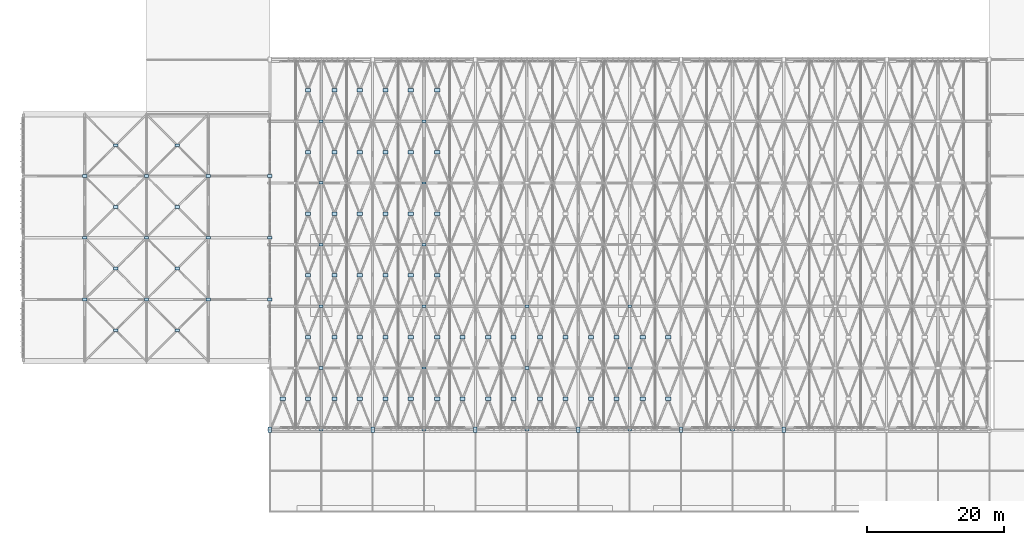
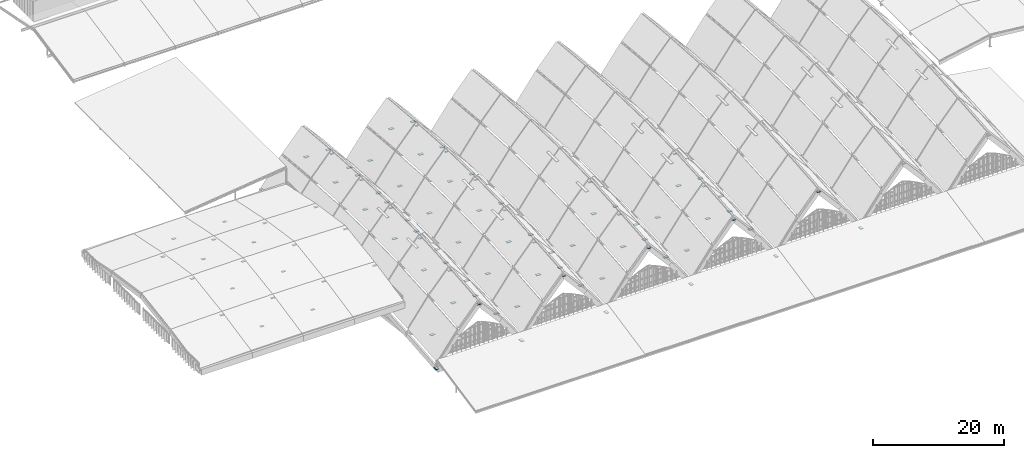
# One storey, part 67 of 93: 100 plates.
"""IFC4 building model written with IfcOpenShell, lengths in metres."""

from ifc_helpers import new_model, si_unit, direction, frame, origin, origin_2d, place, context, subcontext, project, spatial, rectangle, extrude, material, layer, layer_set, type_object, element, save


model = new_model("IFC4")

# Units and contexts
model_context = context("Model", 3, precision=1e-05, world=origin(), true_north=direction((0.0, 1.0)))
body_context = subcontext(model_context, "Body", "Model", "MODEL_VIEW")
ifc_project = project(units=[si_unit("LENGTHUNIT", "METRE"), si_unit("AREAUNIT", "SQUARE_METRE"), si_unit("VOLUMEUNIT", "CUBIC_METRE"), si_unit("PLANEANGLEUNIT", "RADIAN"), si_unit("MASSUNIT", "GRAM", prefix="KILO")], contexts=[model_context])

# Site, building, storey
site_placement = place(None, origin())
site = spatial("IfcSite", under=ifc_project, at=site_placement, CompositionType="ELEMENT")
building_placement = place(site_placement, origin())
building = spatial("IfcBuilding", under=site, at=building_placement, Name="Vourika Railside Aquatics Centre", CompositionType="ELEMENT")
storey_placement = place(building_placement, frame((0.0, 0.0, 21.89990234375)))
storey = spatial("IfcBuildingStorey", under=building, at=storey_placement, Name="Roof", CompositionType="ELEMENT", Elevation=21.89990234375)

# Plates
ifc_material = material(Name="Duplex stainless steel EN 1.4462", Category="steel")
ifc_layer_1 = layer(ifc_material, 0.02392578125, Name="PLT-DIVE-620x400x24")
ifc_layer_set_1 = layer_set([ifc_layer_1], Name="Duplex stainless steel EN 1.4462")
plate_type_1 = type_object("IfcPlateType", Name="PLT-DIVE-620x400x24", PredefinedType="USERDEFINED", material=ifc_layer_set_1)
for number, where, z_axis, x_axis, name in (
    (1, (9.0, 31.0, -3.815185546875), (0.0, 0.0, 1.0), (1.0, 0.0, 0.0), "Stainless Diving Shell Gusset SN-318"),
    (2, (9.0, 40.0, -2.465087890625), (0.0, 0.0, 1.0), (1.0, 0.0, 0.0), "Stainless Diving Shell Gusset SN-319"),
    (3, (9.0, 49.0, -3.815185546875), (0.0, 0.0, 1.0), (1.0, 0.0, 0.0), "Stainless Diving Shell Gusset SN-320"),
    (4, (18.0, 31.0, -3.741943359375), (0.0, 0.0, 1.0), (1.0, 0.0, 0.0), "Stainless Diving Shell Gusset SN-321"),
    (5, (18.0, 40.0, -2.391845703125), (0.0, 0.0, 1.0), (1.0, 0.0, 0.0), "Stainless Diving Shell Gusset SN-322"),
    (6, (18.0, 49.0, -3.741943359375), (0.0, 0.0, 1.0), (1.0, 0.0, 0.0), "Stainless Diving Shell Gusset SN-323"),
    (7, (13.5, 26.5, -4.726806640625), (0.0, 0.0, 1.0), (1.0, 0.0, 0.0), "Diving X-Brace Crossing Node Gusset SN-0324"),
    (8, (13.5, 35.5, -3.103515625), (0.0, 0.0, 1.0), (1.0, 0.0, 0.0), "Diving X-Brace Crossing Node Gusset SN-0325"),
    (9, (13.5, 44.5, -3.103515625), (0.0, 0.0, 1.0), (1.0, 0.0, 0.0), "Diving X-Brace Crossing Node Gusset SN-0326"),
    (10, (13.5, 53.5, -4.763427734375), (0.0, 0.0, 1.0), (1.0, 0.0, 0.0), "Diving X-Brace Crossing Node Gusset SN-0327"),
    (11, (27.0, 31.0, -3.815185546875), (0.0, 0.0, 1.0), (1.0, 0.0, 0.0), "Stainless Diving Shell Gusset SN-328"),
    (12, (27.0, 40.0, -2.465087890625), (0.0, 0.0, 1.0), (1.0, 0.0, 0.0), "Stainless Diving Shell Gusset SN-329"),
    (13, (27.0, 49.0, -3.815185546875), (0.0, 0.0, 1.0), (1.0, 0.0, 0.0), "Stainless Diving Shell Gusset SN-330"),
    (14, (22.5, 26.5, -4.763427734375), (0.0, 0.0, 1.0), (1.0, 0.0, 0.0), "Diving X-Brace Crossing Node Gusset SN-0331"),
    (15, (22.5, 35.5, -3.103515625), (0.0, 0.0, 1.0), (1.0, 0.0, 0.0), "Diving X-Brace Crossing Node Gusset SN-0332"),
    (16, (22.5, 44.5, -3.103515625), (0.0, 0.0, 1.0), (1.0, 0.0, 0.0), "Diving X-Brace Crossing Node Gusset SN-0333"),
    (17, (22.5, 53.5, -4.726806640625), (0.0, 0.0, 1.0), (1.0, 0.0, 0.0), "Diving X-Brace Crossing Node Gusset SN-0334"),
    (18, (36.0, 31.0, -3.991943359375), (0.0, 0.0, 1.0), (1.0, 0.0, 0.0), "Stainless Diving Shell Gusset SN-335"),
    (19, (36.0, 40.0, -2.641845703125), (0.0, 0.0, 1.0), (1.0, 0.0, 0.0), "Stainless Diving Shell Gusset SN-336"),
    (20, (36.0, 49.0, -3.991943359375), (0.0, 0.0, 1.0), (1.0, 0.0, 0.0), "Stainless Diving Shell Gusset SN-337"),
):
    element("IfcPlate", number, at=place(storey_placement, frame(where, z_axis=z_axis, x_axis=x_axis)), inside=storey, type_object=plate_type_1, Name=name, ObjectType="GUSSET PLATE", PredefinedType="USERDEFINED", context=body_context, shape_type="SweptSolid", body=[
        extrude(rectangle(XDim=0.6201171875, YDim=0.39990234375, at=origin_2d()), origin(), (0.0, 0.0, 1.0), 0.02392578125),
    ])
ifc_layer_2 = layer(ifc_material, 0.02001953125, Name="PLT-RIDGE-520x340x20")
ifc_layer_set_2 = layer_set([ifc_layer_2], Name="Duplex stainless steel EN 1.4462")
plate_type_2 = type_object("IfcPlateType", Name="PLT-RIDGE-520x340x20", PredefinedType="USERDEFINED", material=ifc_layer_set_2)
for number, where, z_axis, x_axis, name in (
    (21, (58.5, 12.0, -2.309814453125), (0.0, 0.0, 1.0), (1.0, 0.0, 0.0), "Stainless Vault Ridge Gusset Plate SN-134"),
    (22, (58.5, 21.0, -1.510009765625), (0.0, 0.0, 1.0), (1.0, 0.0, 0.0), "Stainless Vault Ridge Gusset Plate SN-135"),
    (23, (58.5, 30.0, -0.92431640625), (0.0, 0.0, 1.0), (1.0, 0.0, 0.0), "Stainless Vault Ridge Gusset Plate SN-136"),
    (24, (58.5, 39.0, -0.7099609375), (0.0, 0.0, 1.0), (1.0, 0.0, 0.0), "Stainless Vault Ridge Gusset Plate SN-137"),
    (25, (58.5, 48.0, -0.92431640625), (0.0, 0.0, 1.0), (1.0, 0.0, 0.0), "Stainless Vault Ridge Gusset Plate SN-138"),
    (26, (58.5, 57.0, -1.510009765625), (0.0, 0.0, 1.0), (1.0, 0.0, 0.0), "Stainless Vault Ridge Gusset Plate SN-139"),
    (27, (88.5, 12.0, -2.309814453125), (0.0, 0.0, 1.0), (1.0, 0.0, 0.0), "Stainless Vault Ridge Gusset Plate SN-196"),
    (28, (88.5, 21.0, -1.510009765625), (0.0, 0.0, 1.0), (1.0, 0.0, 0.0), "Stainless Vault Ridge Gusset Plate SN-197"),
    (29, (88.5, 30.0, -0.92431640625), (0.0, 0.0, 1.0), (1.0, 0.0, 0.0), "Stainless Vault Ridge Gusset Plate SN-198"),
):
    element("IfcPlate", number, at=place(storey_placement, frame(where, z_axis=z_axis, x_axis=x_axis)), inside=storey, type_object=plate_type_2, Name=name, ObjectType="GUSSET PLATE", PredefinedType="USERDEFINED", context=body_context, shape_type="SweptSolid", body=[
        extrude(rectangle(XDim=0.52001953125, YDim=0.340087890625, at=origin_2d()), origin(), (0.0, 0.0, 1.0), 0.02001953125),
    ])
ifc_layer_3 = layer(ifc_material, 0.02490234375, Name="PLT-RIDGE-580x380x25")
ifc_layer_set_3 = layer_set([ifc_layer_3], Name="Duplex stainless steel EN 1.4462")
plate_type_3 = type_object("IfcPlateType", Name="PLT-RIDGE-580x380x25", PredefinedType="USERDEFINED", material=ifc_layer_set_3)
for number, where, z_axis, x_axis, name in (
    (30, (43.5, 12.0, -2.312255859375), (0.0, 0.0, 1.0), (1.0, 0.0, 0.0), "Stainless Vault Ridge Gusset Plate SN-108"),
    (31, (43.5, 21.0, -1.512451171875), (0.0, 0.0, 1.0), (1.0, 0.0, 0.0), "Stainless Vault Ridge Gusset Plate SN-109"),
    (32, (43.5, 30.0, -0.9267578125), (0.0, 0.0, 1.0), (1.0, 0.0, 0.0), "Stainless Vault Ridge Gusset Plate SN-110"),
    (33, (43.5, 39.0, -0.71240234375), (0.0, 0.0, 1.0), (1.0, 0.0, 0.0), "Stainless Vault Ridge Gusset Plate SN-111"),
    (34, (43.5, 48.0, -0.9267578125), (0.0, 0.0, 1.0), (1.0, 0.0, 0.0), "Stainless Vault Ridge Gusset Plate SN-112"),
    (35, (43.5, 57.0, -1.512451171875), (0.0, 0.0, 1.0), (1.0, 0.0, 0.0), "Stainless Vault Ridge Gusset Plate SN-113"),
    (36, (73.5, 12.0, -2.312255859375), (0.0, 0.0, 1.0), (1.0, 0.0, 0.0), "Stainless Vault Ridge Gusset Plate SN-165"),
    (37, (73.5, 21.0, -1.512451171875), (0.0, 0.0, 1.0), (1.0, 0.0, 0.0), "Stainless Vault Ridge Gusset Plate SN-166"),
    (38, (73.5, 30.0, -0.9267578125), (0.0, 0.0, 1.0), (1.0, 0.0, 0.0), "Stainless Vault Ridge Gusset Plate SN-167"),
    (39, (103.5, 12.0, -2.312255859375), (0.0, 0.0, 1.0), (1.0, 0.0, 0.0), "Stainless Vault Ridge Gusset Plate SN-227"),
):
    element("IfcPlate", number, at=place(storey_placement, frame(where, z_axis=z_axis, x_axis=x_axis)), inside=storey, type_object=plate_type_3, Name=name, ObjectType="GUSSET PLATE", PredefinedType="USERDEFINED", context=body_context, shape_type="SweptSolid", body=[
        extrude(rectangle(XDim=0.580078125, YDim=0.3798828125, at=origin_2d()), origin(), (0.0, 0.0, 1.0), 0.02490234375),
    ])
ifc_layer_4 = layer(ifc_material, 0.028076171875, Name="PLT-VAL-760x500x28")
ifc_layer_set_4 = layer_set([ifc_layer_4], Name="Duplex stainless steel EN 1.4462")
plate_type_4 = type_object("IfcPlateType", Name="PLT-VAL-760x500x28", PredefinedType="USERDEFINED", material=ifc_layer_set_4)
for number, where, z_axis, x_axis, name in (
    (40, (36.0, 12.0, -11.7138671875), (0.0, 0.0, 1.0), (0.0, 1.0, 0.0), "Stainless Valley Truss Gusset SN-060"),
    (41, (51.0, 12.0, -11.7138671875), (0.0, 0.0, 1.0), (0.0, 1.0, 0.0), "Stainless Valley Truss Gusset SN-066"),
    (42, (66.0, 12.0, -11.7138671875), (0.0, 0.0, 1.0), (0.0, 1.0, 0.0), "Stainless Valley Truss Gusset SN-072"),
    (43, (81.0, 12.0, -11.7138671875), (0.0, 0.0, 1.0), (0.0, 1.0, 0.0), "Stainless Valley Truss Gusset SN-078"),
    (44, (96.0, 12.0, -11.7138671875), (0.0, 0.0, 1.0), (0.0, 1.0, 0.0), "Stainless Valley Truss Gusset SN-084"),
    (45, (111.0, 12.0, -11.7138671875), (0.0, 0.0, 1.0), (0.0, 1.0, 0.0), "Stainless Valley Truss Gusset SN-090"),
    (46, (37.875, 16.5, -8.763671875), (0.0, 0.0, 1.0), (1.0, 0.0, 0.0), "Gridshell X-Brace Crossing Node Gusset SN-0115"),
    (47, (41.572509765625, 16.5, -4.12353515625), (0.0, 0.0, 1.0), (1.0, 0.0, 0.0), "Gridshell X-Brace Crossing Node Gusset SN-0116"),
    (48, (45.427490234375, 16.5, -4.12353515625), (0.0, 0.0, 1.0), (1.0, 0.0, 0.0), "Gridshell X-Brace Crossing Node Gusset SN-0117"),
    (49, (49.125, 16.5, -8.763671875), (0.0, 0.0, 1.0), (1.0, 0.0, 0.0), "Gridshell X-Brace Crossing Node Gusset SN-0118"),
    (50, (41.572509765625, 25.5, -3.4296875), (0.0, 0.0, 1.0), (1.0, 0.0, 0.0), "Gridshell X-Brace Crossing Node Gusset SN-0119"),
    (51, (45.427490234375, 25.5, -3.4296875), (0.0, 0.0, 1.0), (1.0, 0.0, 0.0), "Gridshell X-Brace Crossing Node Gusset SN-0120"),
    (52, (49.125, 25.5, -8.0693359375), (0.0, 0.0, 1.0), (1.0, 0.0, 0.0), "Gridshell X-Brace Crossing Node Gusset SN-0121"),
    (53, (41.572509765625, 34.5, -3.029296875), (0.0, 0.0, 1.0), (1.0, 0.0, 0.0), "Gridshell X-Brace Crossing Node Gusset SN-0122"),
    (54, (45.427490234375, 34.5, -3.029296875), (0.0, 0.0, 1.0), (1.0, 0.0, 0.0), "Gridshell X-Brace Crossing Node Gusset SN-0123"),
    (55, (49.125, 34.5, -7.6689453125), (0.0, 0.0, 1.0), (1.0, 0.0, 0.0), "Gridshell X-Brace Crossing Node Gusset SN-0124"),
    (56, (41.572509765625, 43.5, -3.029296875), (0.0, 0.0, 1.0), (1.0, 0.0, 0.0), "Gridshell X-Brace Crossing Node Gusset SN-0125"),
    (57, (45.427490234375, 43.5, -3.029296875), (0.0, 0.0, 1.0), (1.0, 0.0, 0.0), "Gridshell X-Brace Crossing Node Gusset SN-0126"),
    (58, (49.125, 43.5, -7.6689453125), (0.0, 0.0, 1.0), (1.0, 0.0, 0.0), "Gridshell X-Brace Crossing Node Gusset SN-0127"),
    (59, (41.572509765625, 52.5, -3.4296875), (0.0, 0.0, 1.0), (1.0, 0.0, 0.0), "Gridshell X-Brace Crossing Node Gusset SN-0128"),
    (60, (45.427490234375, 52.5, -3.4296875), (0.0, 0.0, 1.0), (1.0, 0.0, 0.0), "Gridshell X-Brace Crossing Node Gusset SN-0129"),
    (61, (49.125, 52.5, -8.0693359375), (0.0, 0.0, 1.0), (1.0, 0.0, 0.0), "Gridshell X-Brace Crossing Node Gusset SN-0130"),
    (62, (41.572509765625, 61.5, -4.12353515625), (0.0, 0.0, 1.0), (1.0, 0.0, 0.0), "Gridshell X-Brace Crossing Node Gusset SN-0131"),
    (63, (45.427490234375, 61.5, -4.12353515625), (0.0, 0.0, 1.0), (1.0, 0.0, 0.0), "Gridshell X-Brace Crossing Node Gusset SN-0132"),
    (64, (49.125, 61.5, -8.763671875), (0.0, 0.0, 1.0), (1.0, 0.0, 0.0), "Gridshell X-Brace Crossing Node Gusset SN-0133"),
    (65, (52.875, 16.5, -8.763671875), (0.0, 0.0, 1.0), (1.0, 0.0, 0.0), "Gridshell X-Brace Crossing Node Gusset SN-0141"),
    (66, (56.572509765625, 16.5, -4.12353515625), (0.0, 0.0, 1.0), (1.0, 0.0, 0.0), "Gridshell X-Brace Crossing Node Gusset SN-0142"),
    (67, (60.427490234375, 16.5, -4.12353515625), (0.0, 0.0, 1.0), (1.0, 0.0, 0.0), "Gridshell X-Brace Crossing Node Gusset SN-0143"),
    (68, (64.125, 16.5, -8.763671875), (0.0, 0.0, 1.0), (1.0, 0.0, 0.0), "Gridshell X-Brace Crossing Node Gusset SN-0144"),
    (69, (52.875, 25.5, -8.0693359375), (0.0, 0.0, 1.0), (1.0, 0.0, 0.0), "Gridshell X-Brace Crossing Node Gusset SN-0145"),
    (70, (56.572509765625, 25.5, -3.4296875), (0.0, 0.0, 1.0), (1.0, 0.0, 0.0), "Gridshell X-Brace Crossing Node Gusset SN-0146"),
    (71, (60.427490234375, 25.5, -3.4296875), (0.0, 0.0, 1.0), (1.0, 0.0, 0.0), "Gridshell X-Brace Crossing Node Gusset SN-0147"),
    (72, (64.125, 25.5, -8.0693359375), (0.0, 0.0, 1.0), (1.0, 0.0, 0.0), "Gridshell X-Brace Crossing Node Gusset SN-0148"),
    (73, (52.875, 34.5, -7.6689453125), (0.0, 0.0, 1.0), (1.0, 0.0, 0.0), "Gridshell X-Brace Crossing Node Gusset SN-0149"),
    (74, (56.572509765625, 34.5, -3.029296875), (0.0, 0.0, 1.0), (1.0, 0.0, 0.0), "Gridshell X-Brace Crossing Node Gusset SN-0150"),
    (75, (60.427490234375, 34.5, -3.029296875), (0.0, 0.0, 1.0), (1.0, 0.0, 0.0), "Gridshell X-Brace Crossing Node Gusset SN-0151"),
    (76, (52.875, 43.5, -7.6689453125), (0.0, 0.0, 1.0), (1.0, 0.0, 0.0), "Gridshell X-Brace Crossing Node Gusset SN-0153"),
    (77, (56.572509765625, 43.5, -3.029296875), (0.0, 0.0, 1.0), (1.0, 0.0, 0.0), "Gridshell X-Brace Crossing Node Gusset SN-0154"),
    (78, (60.427490234375, 43.5, -3.029296875), (0.0, 0.0, 1.0), (1.0, 0.0, 0.0), "Gridshell X-Brace Crossing Node Gusset SN-0155"),
    (79, (52.875, 52.5, -8.0693359375), (0.0, 0.0, 1.0), (1.0, 0.0, 0.0), "Gridshell X-Brace Crossing Node Gusset SN-0157"),
    (80, (56.572509765625, 52.5, -3.4296875), (0.0, 0.0, 1.0), (1.0, 0.0, 0.0), "Gridshell X-Brace Crossing Node Gusset SN-0158"),
    (81, (60.427490234375, 52.5, -3.4296875), (0.0, 0.0, 1.0), (1.0, 0.0, 0.0), "Gridshell X-Brace Crossing Node Gusset SN-0159"),
    (82, (52.875, 61.5, -8.763671875), (0.0, 0.0, 1.0), (1.0, 0.0, 0.0), "Gridshell X-Brace Crossing Node Gusset SN-0161"),
    (83, (56.572509765625, 61.5, -4.12353515625), (0.0, 0.0, 1.0), (1.0, 0.0, 0.0), "Gridshell X-Brace Crossing Node Gusset SN-0162"),
    (84, (60.427490234375, 61.5, -4.12353515625), (0.0, 0.0, 1.0), (1.0, 0.0, 0.0), "Gridshell X-Brace Crossing Node Gusset SN-0163"),
    (85, (67.875, 16.5, -8.763671875), (0.0, 0.0, 1.0), (1.0, 0.0, 0.0), "Gridshell X-Brace Crossing Node Gusset SN-0172"),
    (86, (71.572509765625, 16.5, -4.12353515625), (0.0, 0.0, 1.0), (1.0, 0.0, 0.0), "Gridshell X-Brace Crossing Node Gusset SN-0173"),
    (87, (75.427490234375, 16.5, -4.12353515625), (0.0, 0.0, 1.0), (1.0, 0.0, 0.0), "Gridshell X-Brace Crossing Node Gusset SN-0174"),
    (88, (79.125, 16.5, -8.763671875), (0.0, 0.0, 1.0), (1.0, 0.0, 0.0), "Gridshell X-Brace Crossing Node Gusset SN-0175"),
    (89, (67.875, 25.5, -8.0693359375), (0.0, 0.0, 1.0), (1.0, 0.0, 0.0), "Gridshell X-Brace Crossing Node Gusset SN-0176"),
    (90, (71.572509765625, 25.5, -3.4296875), (0.0, 0.0, 1.0), (1.0, 0.0, 0.0), "Gridshell X-Brace Crossing Node Gusset SN-0177"),
    (91, (75.427490234375, 25.5, -3.4296875), (0.0, 0.0, 1.0), (1.0, 0.0, 0.0), "Gridshell X-Brace Crossing Node Gusset SN-0178"),
    (92, (79.125, 25.5, -8.0693359375), (0.0, 0.0, 1.0), (1.0, 0.0, 0.0), "Gridshell X-Brace Crossing Node Gusset SN-0179"),
    (93, (82.875, 16.5, -8.763671875), (0.0, 0.0, 1.0), (1.0, 0.0, 0.0), "Gridshell X-Brace Crossing Node Gusset SN-0203"),
    (94, (86.572509765625, 16.5, -4.12353515625), (0.0, 0.0, 1.0), (1.0, 0.0, 0.0), "Gridshell X-Brace Crossing Node Gusset SN-0204"),
    (95, (90.427490234375, 16.5, -4.12353515625), (0.0, 0.0, 1.0), (1.0, 0.0, 0.0), "Gridshell X-Brace Crossing Node Gusset SN-0205"),
    (96, (94.125, 16.5, -8.763671875), (0.0, 0.0, 1.0), (1.0, 0.0, 0.0), "Gridshell X-Brace Crossing Node Gusset SN-0206"),
    (97, (82.875, 25.5, -8.0693359375), (0.0, 0.0, 1.0), (1.0, 0.0, 0.0), "Gridshell X-Brace Crossing Node Gusset SN-0207"),
    (98, (86.572509765625, 25.5, -3.4296875), (0.0, 0.0, 1.0), (1.0, 0.0, 0.0), "Gridshell X-Brace Crossing Node Gusset SN-0208"),
    (99, (90.427490234375, 25.5, -3.4296875), (0.0, 0.0, 1.0), (1.0, 0.0, 0.0), "Gridshell X-Brace Crossing Node Gusset SN-0209"),
    (100, (94.125, 25.5, -8.0693359375), (0.0, 0.0, 1.0), (1.0, 0.0, 0.0), "Gridshell X-Brace Crossing Node Gusset SN-0210"),
):
    element("IfcPlate", number, at=place(storey_placement, frame(where, z_axis=z_axis, x_axis=x_axis)), inside=storey, type_object=plate_type_4, Name=name, ObjectType="GUSSET PLATE", PredefinedType="USERDEFINED", context=body_context, shape_type="SweptSolid", body=[
        extrude(rectangle(XDim=0.760009765625, YDim=0.5, at=origin_2d()), origin(), (0.0, 0.0, 1.0), 0.028076171875),
    ])

save(model, "model.ifc")
